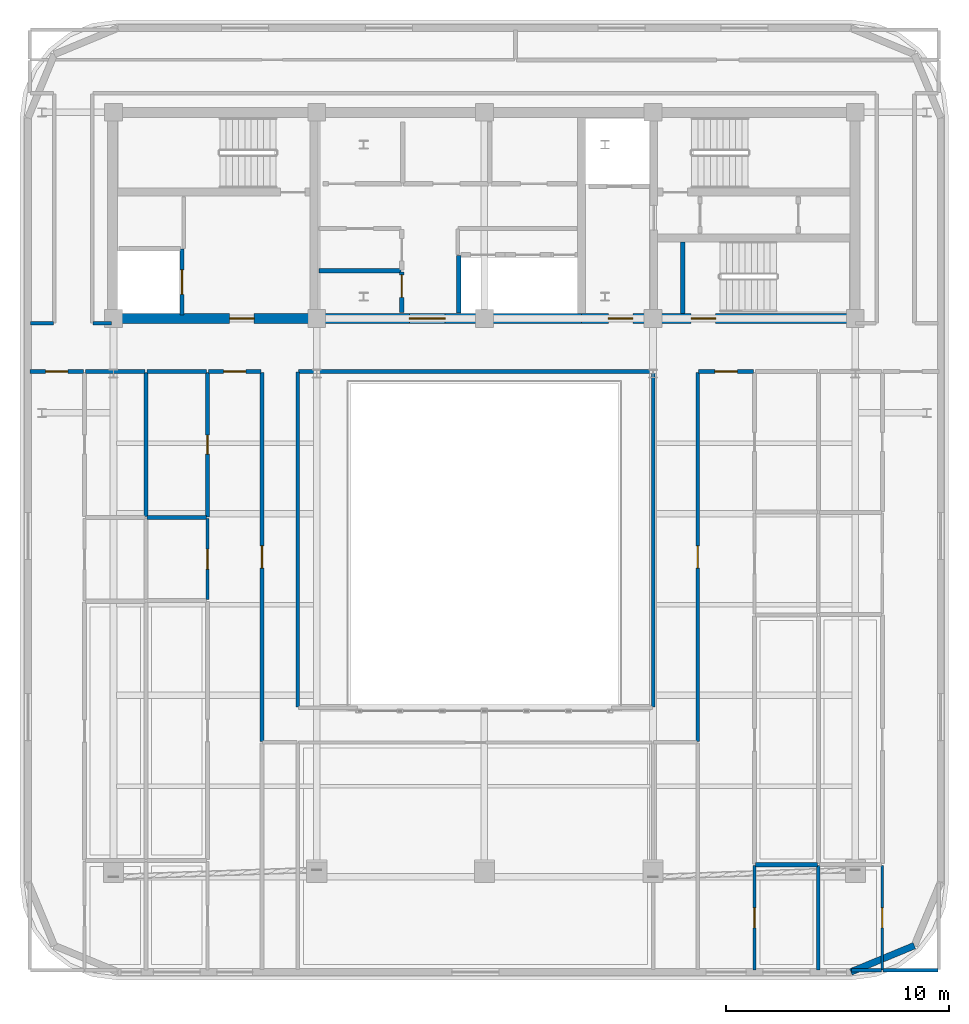
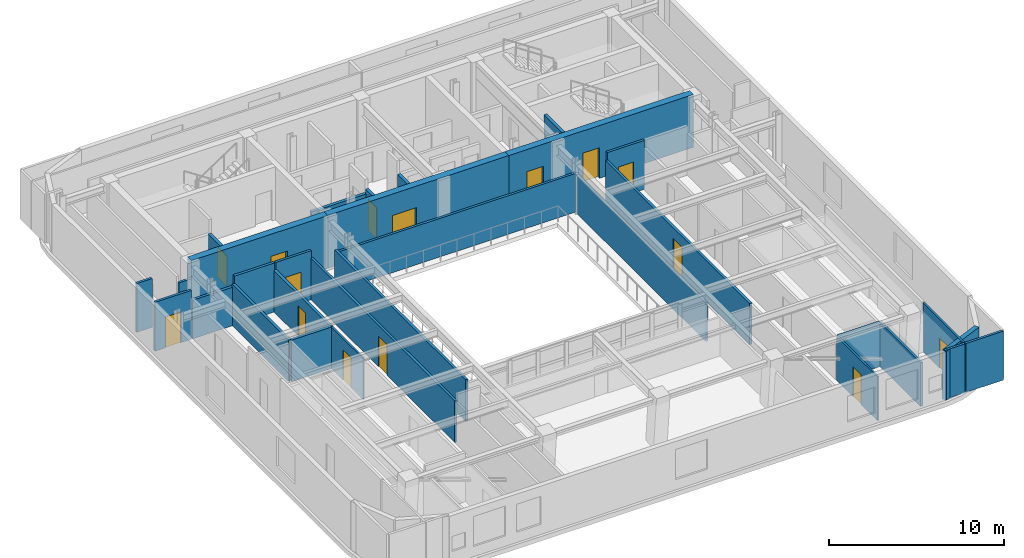
# One storey, part 7 of 13: 31 walls, 15 doors, 15 openings.
"""IFC4 building model written with IfcOpenShell, lengths in metres."""

from ifc_helpers import new_model, si_unit, direction, frame, frame_2d, origin, place, context, subcontext, project, spatial, rectangle, extrude, material, layer, layer_set, type_object, element, fill, save


model = new_model("IFC4")

# Units and contexts
model_context = context("Model", 3, precision=1e-05, world=origin(), true_north=direction((0.0, 1.0)))
body_context = subcontext(model_context, "Body", "Model", "MODEL_VIEW")
ifc_project = project(units=[si_unit("LENGTHUNIT", "METRE"), si_unit("AREAUNIT", "SQUARE_METRE"), si_unit("VOLUMEUNIT", "CUBIC_METRE"), si_unit("PLANEANGLEUNIT", "RADIAN"), si_unit("MASSUNIT", "GRAM", prefix="KILO")], contexts=[model_context])

# Site, building, storey
site_placement = place(None, origin())
site = spatial("IfcSite", under=ifc_project, at=site_placement, CompositionType="ELEMENT")
building_placement = place(site_placement, origin())
building = spatial("IfcBuilding", under=site, at=building_placement, Name="Zarnavel Station Tower", CompositionType="ELEMENT")
storey_placement = place(building_placement, frame((0.0, 0.0, 254.699951171875)))
storey = spatial("IfcBuildingStorey", under=building, at=storey_placement, Name="L69", CompositionType="ELEMENT", Elevation=254.699951171875)

# Wall, opening, door
ifc_material_1 = material(Name="Concrete C50/60", Category="concrete")
ifc_layer_1 = layer(ifc_material_1, 0.449951171875)
ifc_layer_set_1 = layer_set([ifc_layer_1], Name="CW_450")
wall_type_1 = type_object("IfcWallType", Name="CW_450", PredefinedType="SHEAR", material=ifc_layer_set_1)
wall_1_placement = place(storey_placement, frame((21.179931640625, 27.820068359375, 0.0), z_axis=(0.0, 0.0, 1.0), x_axis=(-1.0, 0.0, 0.0)))
wall_1 = element("IfcWall", 1, at=wall_1_placement, inside=storey, type_object=wall_type_1, Name="L69 Rear Core Shear Wall S-W", PredefinedType="SHEAR", context=body_context, shape_type="SweptSolid", body=[
    extrude(rectangle(XDim=9.030029296875, YDim=0.449951171875, at=frame_2d((4.51513671875, 0.0))), origin(), (0.0, 0.0, 1.0), 3.699951171875),
])
opening_1_placement = place(wall_1_placement, frame((2.679931640625, 0.0, 0.0)))
opening_1 = element("IfcOpeningElement", 2, at=opening_1_placement, cuts=wall_1, Name="Opening FD01", PredefinedType="OPENING", context=body_context, shape_type="SweptSolid", body=[
    extrude(rectangle(XDim=1.10009765625, YDim=2.14990234375, at=frame_2d((0.550048828125, 1.074951171875))), frame((0.0, 0.23486328125, 0.0), z_axis=(0.0, -1.0, 0.0), x_axis=(1.0, 0.0, 0.0)), (0.0, 0.0, 1.0), 0.469970703125),
])
ifc_material_2 = material(Name="Painted Galvanised Steel and Hardwood Leaf", Category="steel")
door_type_1 = type_object("IfcDoorType", Name="ID_STAIR_1100", OperationType="NOTDEFINED", PredefinedType="DOOR", material=ifc_material_2)
door_1_placement = place(opening_1_placement, origin())
door_1 = element("IfcDoor", 3, at=door_1_placement, inside=storey, type_object=door_type_1, Name="L69 West Firefighting Lobby Door", OperationType="SINGLE_SWING_RIGHT", OverallHeight=2.14990234375, OverallWidth=1.10009765625, PredefinedType="DOOR", context=body_context, shape_type="SweptSolid", body=[
    extrude(rectangle(XDim=1.10009765625, YDim=2.14990234375, at=frame_2d((0.550048828125, 1.074951171875))), frame((0.0, 0.02490234375, 0.0), z_axis=(0.0, -1.0, 0.0), x_axis=(1.0, 0.0, 0.0)), (0.0, 0.0, 1.0), 0.050048828125),
])
fill(opening_1, door_1)

wall_2_placement = place(storey_placement, frame((33.14990234375, 27.820068359375, 0.0), z_axis=(0.0, 0.0, 1.0), x_axis=(-1.0, 0.0, 0.0)))
wall_2 = element("IfcWall", 4, at=wall_2_placement, inside=storey, type_object=wall_type_1, Name="L69 Rear Core Shear Wall S-M", PredefinedType="SHEAR", context=body_context, shape_type="SweptSolid", body=[
    extrude(rectangle(XDim=11.969970703125, YDim=0.449951171875, at=frame_2d((5.98486328125, 0.0))), origin(), (0.0, 0.0, 1.0), 3.699951171875),
])
opening_2_placement = place(wall_2_placement, frame((6.10009765625, 0.0, 0.0)))
opening_2 = element("IfcOpeningElement", 5, at=opening_2_placement, cuts=wall_2, Name="Opening ID03", PredefinedType="OPENING", context=body_context, shape_type="SweptSolid", body=[
    extrude(rectangle(XDim=1.60009765625, YDim=2.199951171875, at=frame_2d((0.800048828125, 1.10009765625))), frame((0.0, 0.23486328125, 0.0), z_axis=(0.0, -1.0, 0.0), x_axis=(1.0, 0.0, 0.0)), (0.0, 0.0, 1.0), 0.469970703125),
])
ifc_material_3 = material(Name="Painted Galvanised Steel and Hardwood Leaf", Category="steel")
door_type_2 = type_object("IfcDoorType", Name="ID_PUBLIC_1600", OperationType="DOUBLE_DOOR_SINGLE_SWING", PredefinedType="DOOR", material=ifc_material_3)
door_2_placement = place(opening_2_placement, origin())
door_2 = element("IfcDoor", 6, at=door_2_placement, inside=storey, type_object=door_type_2, Name="L69 Passenger Lift Lobby Double Door", OperationType="SINGLE_SWING_LEFT", OverallHeight=2.199951171875, OverallWidth=1.60009765625, PredefinedType="DOOR", context=body_context, shape_type="SweptSolid", body=[
    extrude(rectangle(XDim=1.60009765625, YDim=2.199951171875, at=frame_2d((0.800048828125, 1.10009765625))), frame((0.0, 0.02490234375, 0.0), z_axis=(0.0, -1.0, 0.0), x_axis=(1.0, 0.0, 0.0)), (0.0, 0.0, 1.0), 0.050048828125),
])
fill(opening_2, door_2)

# Wall, openings, doors
wall_3_placement = place(storey_placement, frame((45.3798828125, 27.820068359375, 0.0), z_axis=(0.0, 0.0, 1.0), x_axis=(-1.0, 0.0, 0.0)))
wall_3 = element("IfcWall", 7, at=wall_3_placement, inside=storey, type_object=wall_type_1, Name="L69 Rear Core Shear Wall S-E", PredefinedType="SHEAR", context=body_context, shape_type="SweptSolid", body=[
    extrude(rectangle(XDim=12.22998046875, YDim=0.449951171875, at=frame_2d((6.114990234375, 0.0))), origin(), (0.0, 0.0, 1.0), 3.699951171875),
])
opening_3_placement = place(wall_3_placement, frame((9.929931640625, 0.0, 0.0)))
opening_3 = element("IfcOpeningElement", 8, at=opening_3_placement, cuts=wall_3, Name="Opening FD01", PredefinedType="OPENING", context=body_context, shape_type="SweptSolid", body=[
    extrude(rectangle(XDim=1.10009765625, YDim=2.14990234375, at=frame_2d((0.550048828125, 1.074951171875))), frame((0.0, 0.23486328125, 0.0), z_axis=(0.0, -1.0, 0.0), x_axis=(1.0, 0.0, 0.0)), (0.0, 0.0, 1.0), 0.469970703125),
])
opening_4_placement = place(wall_3_placement, frame((6.22998046875, 0.0, 0.0)))
opening_4 = element("IfcOpeningElement", 9, at=opening_4_placement, cuts=wall_3, Name="Opening FD01", PredefinedType="OPENING", context=body_context, shape_type="SweptSolid", body=[
    extrude(rectangle(XDim=1.10009765625, YDim=2.14990234375, at=frame_2d((0.550048828125, 1.074951171875))), frame((0.0, 0.23486328125, 0.0), z_axis=(0.0, -1.0, 0.0), x_axis=(1.0, 0.0, 0.0)), (0.0, 0.0, 1.0), 0.469970703125),
])
door_3_placement = place(opening_3_placement, origin())
door_3 = element("IfcDoor", 10, at=door_3_placement, inside=storey, type_object=door_type_1, Name="L69 East Firefighting Lobby Door", OperationType="SINGLE_SWING_LEFT", OverallHeight=2.14990234375, OverallWidth=1.10009765625, PredefinedType="DOOR", context=body_context, shape_type="SweptSolid", body=[
    extrude(rectangle(XDim=1.10009765625, YDim=2.14990234375, at=frame_2d((0.550048828125, 1.074951171875))), frame((0.0, 0.02490234375, 0.0), z_axis=(0.0, -1.0, 0.0), x_axis=(1.0, 0.0, 0.0)), (0.0, 0.0, 1.0), 0.050048828125),
])
fill(opening_3, door_3)
door_4_placement = place(opening_4_placement, origin())
door_4 = element("IfcDoor", 11, at=door_4_placement, inside=storey, type_object=door_type_1, Name="L69 Stair ST3 Corridor Fire Door", OperationType="SINGLE_SWING_RIGHT", OverallHeight=2.14990234375, OverallWidth=1.10009765625, PredefinedType="DOOR", context=body_context, shape_type="SweptSolid", body=[
    extrude(rectangle(XDim=1.10009765625, YDim=2.14990234375, at=frame_2d((0.550048828125, 1.074951171875))), frame((0.0, 0.02490234375, 0.0), z_axis=(0.0, -1.0, 0.0), x_axis=(1.0, 0.0, 0.0)), (0.0, 0.0, 1.0), 0.050048828125),
])
fill(opening_4, door_4)

# Wall
ifc_material_4 = material(Name="Precast concrete C45/55 (Dark Basalt Finish)", Category="masonry")
ifc_layer_2 = layer(ifc_material_4, 0.300048828125)
ifc_layer_set_2 = layer_set([ifc_layer_2], Name="EW_BASALT_300")
wall_type_2 = type_object("IfcWallType", Name="EW_BASALT_300", PredefinedType="SOLIDWALL", material=ifc_layer_set_2)
wall_4_placement = place(storey_placement, frame((48.04248046875, -0.24267578125, 0.0), z_axis=(0.0, 0.0, 1.0), x_axis=(-0.92389884758, -0.382636798336, 0.0)))
element("IfcWall", 12, at=wall_4_placement, inside=storey, type_object=wall_type_2, Name="L69 Exterior Basalt Masonry Frame Wall 01", PredefinedType="SOLIDWALL", context=body_context, shape_type="SweptSolid", body=[
    extrude(rectangle(XDim=3.07666015625, YDim=0.300048828125, at=frame_2d((1.538330078125, 0.0))), origin(), (0.0, 0.0, 1.0), 3.420166015625),
])

# Wall, opening, door
ifc_material_5 = material(Name="Gypsum Twin-Stud Acoustic Fire Partition", Category="concrete")
ifc_layer_3 = layer(ifc_material_5, 0.159912109375)
ifc_layer_set_3 = layer_set([ifc_layer_3], Name="PT_DEMISE_160")
wall_type_3 = type_object("IfcWallType", Name="PT_DEMISE_160", PredefinedType="PARTITIONING", material=ifc_layer_set_3)
wall_5_placement = place(storey_placement, frame((8.4599609375, 25.449951171875, 0.0), z_axis=(0.0, 0.0, 1.0), x_axis=(1.0, 0.0, 0.0)))
wall_5 = element("IfcWall", 13, at=wall_5_placement, inside=storey, type_object=wall_type_3, Name="L69 Partition COR-S-UW1LV", PredefinedType="PARTITIONING", context=body_context, shape_type="SweptSolid", body=[
    extrude(rectangle(XDim=2.404052734375, YDim=0.159912109375, at=frame_2d((1.2021484375, 0.0))), origin(), (0.0, 0.0, 1.0), 3.420166015625),
])
opening_5_placement = place(wall_5_placement, frame((0.701904296875, 0.0, 0.0)))
opening_5 = element("IfcOpeningElement", 14, at=opening_5_placement, cuts=wall_5, Name="Opening FD02", PredefinedType="OPENING", context=body_context, shape_type="SweptSolid", body=[
    extrude(rectangle(XDim=1.0, YDim=2.14990234375, at=frame_2d((0.5, 1.074951171875))), frame((0.0, 0.08984375, 0.0), z_axis=(0.0, -1.0, 0.0), x_axis=(1.0, 0.0, 0.0)), (0.0, 0.0, 1.0), 0.179931640625),
])
ifc_material_6 = material(Name="Painted Galvanised Steel and Hardwood Leaf", Category="steel")
door_type_3 = type_object("IfcDoorType", Name="ID_ENTRY_1000", OperationType="NOTDEFINED", PredefinedType="DOOR", material=ifc_material_6)
door_5_placement = place(opening_5_placement, origin())
door_5 = element("IfcDoor", 15, at=door_5_placement, inside=storey, type_object=door_type_3, Name="L69 Door COR-S-UW1LV", OperationType="SINGLE_SWING_RIGHT", OverallHeight=2.14990234375, OverallWidth=1.0, PredefinedType="DOOR", context=body_context, shape_type="SweptSolid", body=[
    extrude(rectangle(XDim=1.0, YDim=2.14990234375, at=frame_2d((0.5, 1.074951171875))), frame((0.0, 0.02490234375, 0.0), z_axis=(0.0, -1.0, 0.0), x_axis=(1.0, 0.0, 0.0)), (0.0, 0.0, 1.0), 0.050048828125),
])
fill(opening_5, door_5)

wall_6_placement = place(storey_placement, frame((16.450927734375, 25.449951171875, 0.0), z_axis=(0.0, 0.0, 1.0), x_axis=(1.0, 0.0, 0.0)))
wall_6 = element("IfcWall", 16, at=wall_6_placement, inside=storey, type_object=wall_type_3, Name="L69 Partition COR-S-UW2LV", PredefinedType="PARTITIONING", context=body_context, shape_type="SweptSolid", body=[
    extrude(rectangle(XDim=2.359130859375, YDim=0.159912109375, at=frame_2d((1.1796875, 0.0))), origin(), (0.0, 0.0, 1.0), 3.420166015625),
])
opening_6_placement = place(wall_6_placement, frame((0.679443359375, 0.0, 0.0)))
opening_6 = element("IfcOpeningElement", 17, at=opening_6_placement, cuts=wall_6, Name="Opening FD02", PredefinedType="OPENING", context=body_context, shape_type="SweptSolid", body=[
    extrude(rectangle(XDim=1.0, YDim=2.14990234375, at=frame_2d((0.5, 1.074951171875))), frame((0.0, 0.08984375, 0.0), z_axis=(0.0, -1.0, 0.0), x_axis=(1.0, 0.0, 0.0)), (0.0, 0.0, 1.0), 0.179931640625),
])
door_6_placement = place(opening_6_placement, origin())
door_6 = element("IfcDoor", 18, at=door_6_placement, inside=storey, type_object=door_type_3, Name="L69 Door COR-S-UW2LV", OperationType="SINGLE_SWING_LEFT", OverallHeight=2.14990234375, OverallWidth=1.0, PredefinedType="DOOR", context=body_context, shape_type="SweptSolid", body=[
    extrude(rectangle(XDim=1.0, YDim=2.14990234375, at=frame_2d((0.5, 1.074951171875))), frame((0.0, 0.02490234375, 0.0), z_axis=(0.0, -1.0, 0.0), x_axis=(1.0, 0.0, 0.0)), (0.0, 0.0, 1.0), 0.050048828125),
])
fill(opening_6, door_6)

wall_7_placement = place(storey_placement, frame((38.389892578125, 25.449951171875, 0.0), z_axis=(0.0, 0.0, 1.0), x_axis=(1.0, 0.0, 0.0)))
wall_7 = element("IfcWall", 19, at=wall_7_placement, inside=storey, type_object=wall_type_3, Name="L69 Partition COR-S-UE1LV", PredefinedType="PARTITIONING", context=body_context, shape_type="SweptSolid", body=[
    extrude(rectangle(XDim=2.4580078125, YDim=0.159912109375, at=frame_2d((1.22900390625, 0.0))), origin(), (0.0, 0.0, 1.0), 3.420166015625),
])
opening_7_placement = place(wall_7_placement, frame((0.72900390625, 0.0, 0.0)))
opening_7 = element("IfcOpeningElement", 20, at=opening_7_placement, cuts=wall_7, Name="Opening FD02", PredefinedType="OPENING", context=body_context, shape_type="SweptSolid", body=[
    extrude(rectangle(XDim=1.0, YDim=2.14990234375, at=frame_2d((0.5, 1.074951171875))), frame((0.0, 0.08984375, 0.0), z_axis=(0.0, -1.0, 0.0), x_axis=(1.0, 0.0, 0.0)), (0.0, 0.0, 1.0), 0.179931640625),
])
door_7_placement = place(opening_7_placement, origin())
door_7 = element("IfcDoor", 21, at=door_7_placement, inside=storey, type_object=door_type_3, Name="L69 Door COR-S-UE1LV", OperationType="SINGLE_SWING_RIGHT", OverallHeight=2.14990234375, OverallWidth=1.0, PredefinedType="DOOR", context=body_context, shape_type="SweptSolid", body=[
    extrude(rectangle(XDim=1.0, YDim=2.14990234375, at=frame_2d((0.5, 1.074951171875))), frame((0.0, 0.02490234375, 0.0), z_axis=(0.0, -1.0, 0.0), x_axis=(1.0, 0.0, 0.0)), (0.0, 0.0, 1.0), 0.050048828125),
])
fill(opening_7, door_7)

wall_8_placement = place(storey_placement, frame((18.85009765625, 8.889892578125, 0.0), z_axis=(0.0, 0.0, 1.0), x_axis=(0.0, 1.0, 0.0)))
wall_8 = element("IfcWall", 22, at=wall_8_placement, inside=storey, type_object=wall_type_3, Name="L69 Partition COR-AW-UW2LV", PredefinedType="PARTITIONING", context=body_context, shape_type="SweptSolid", body=[
    extrude(rectangle(XDim=16.52001953125, YDim=0.159912109375, at=frame_2d((8.260009765625, 0.0))), origin(), (0.0, 0.0, 1.0), 2.900146484375),
])
opening_8_placement = place(wall_8_placement, frame((7.760009765625, 0.0, 0.0)))
opening_8 = element("IfcOpeningElement", 23, at=opening_8_placement, cuts=wall_8, Name="Opening FD02", PredefinedType="OPENING", context=body_context, shape_type="SweptSolid", body=[
    extrude(rectangle(XDim=1.0, YDim=2.14990234375, at=frame_2d((0.5, 1.074951171875))), frame((0.0, 0.08984375, 0.0), z_axis=(0.0, -1.0, 0.0), x_axis=(1.0, 0.0, 0.0)), (0.0, 0.0, 1.0), 0.179931640625),
])
door_8_placement = place(opening_8_placement, origin())
door_8 = element("IfcDoor", 24, at=door_8_placement, inside=storey, type_object=door_type_3, Name="L69 Door COR-AW-UW2LV", OperationType="SINGLE_SWING_RIGHT", OverallHeight=2.14990234375, OverallWidth=1.0, PredefinedType="DOOR", context=body_context, shape_type="SweptSolid", body=[
    extrude(rectangle(XDim=1.0, YDim=2.14990234375, at=frame_2d((0.5, 1.074951171875))), frame((0.0, 0.02490234375, 0.0), z_axis=(0.0, -1.0, 0.0), x_axis=(1.0, 0.0, 0.0)), (0.0, 0.0, 1.0), 0.050048828125),
])
fill(opening_8, door_8)

wall_9_placement = place(storey_placement, frame((38.35009765625, 8.889892578125, 0.0), z_axis=(0.0, 0.0, 1.0), x_axis=(0.0, 1.0, 0.0)))
wall_9 = element("IfcWall", 25, at=wall_9_placement, inside=storey, type_object=wall_type_3, Name="L69 Partition COR-AE-UE1LV", PredefinedType="PARTITIONING", context=body_context, shape_type="SweptSolid", body=[
    extrude(rectangle(XDim=16.52001953125, YDim=0.159912109375, at=frame_2d((8.260009765625, 0.0))), origin(), (0.0, 0.0, 1.0), 2.900146484375),
])
opening_9_placement = place(wall_9_placement, frame((7.760009765625, 0.0, 0.0)))
opening_9 = element("IfcOpeningElement", 26, at=opening_9_placement, cuts=wall_9, Name="Opening FD02", PredefinedType="OPENING", context=body_context, shape_type="SweptSolid", body=[
    extrude(rectangle(XDim=1.0, YDim=2.14990234375, at=frame_2d((0.5, 1.074951171875))), frame((0.0, 0.08984375, 0.0), z_axis=(0.0, -1.0, 0.0), x_axis=(1.0, 0.0, 0.0)), (0.0, 0.0, 1.0), 0.179931640625),
])
door_9_placement = place(opening_9_placement, origin())
door_9 = element("IfcDoor", 27, at=door_9_placement, inside=storey, type_object=door_type_3, Name="L69 Door COR-AE-UE1LV", OperationType="SINGLE_SWING_LEFT", OverallHeight=2.14990234375, OverallWidth=1.0, PredefinedType="DOOR", context=body_context, shape_type="SweptSolid", body=[
    extrude(rectangle(XDim=1.0, YDim=2.14990234375, at=frame_2d((0.5, 1.074951171875))), frame((0.0, 0.02490234375, 0.0), z_axis=(0.0, -1.0, 0.0), x_axis=(1.0, 0.0, 0.0)), (0.0, 0.0, 1.0), 0.050048828125),
])
fill(opening_9, door_9)

# Walls
wall_10_placement = place(storey_placement, frame((43.75, -1.340087890625, 0.0), z_axis=(0.0, 0.0, 1.0), x_axis=(0.0, 1.0, 0.0)))
element("IfcWall", 28, at=wall_10_placement, inside=storey, type_object=wall_type_3, Name="L69 Partition UE1B1-UE2B1", PredefinedType="PARTITIONING", context=body_context, shape_type="SweptSolid", body=[
    extrude(rectangle(XDim=4.677001953125, YDim=0.159912109375, at=frame_2d((2.33837890625, 0.0))), origin(), (0.0, 0.0, 1.0), 3.080078125),
])
wall_11_placement = place(storey_placement, frame((20.47998046875, 25.449951171875, 0.0), z_axis=(0.0, 0.0, 1.0), x_axis=(1.0, 0.0, 0.0)))
element("IfcWall", 29, at=wall_11_placement, inside=storey, type_object=wall_type_3, Name="L69 Enclosure Wall COR-S", PredefinedType="PARTITIONING", context=body_context, shape_type="SweptSolid", body=[
    extrude(rectangle(XDim=15.840087890625, YDim=0.159912109375, at=frame_2d((7.919921875, 0.0))), origin(), (0.0, 0.0, 1.0), 2.699951171875),
])
wall_12_placement = place(storey_placement, frame((8.489990234375, 27.60009765625, 0.0), z_axis=(0.0, 0.0, 1.0), x_axis=(1.0, 0.0, 0.0)))
element("IfcWall", 30, at=wall_12_placement, inside=storey, type_object=wall_type_3, Name="L69 Enclosure Wall COR-S", PredefinedType="PARTITIONING", context=body_context, shape_type="SweptSolid", body=[
    extrude(rectangle(XDim=1.030029296875, YDim=0.159912109375, at=frame_2d((0.51513671875, 0.0))), origin(), (0.0, 0.0, 1.0), 3.420166015625),
])
wall_13_placement = place(storey_placement, frame((11.280029296875, 27.60009765625, 0.0), z_axis=(0.0, 0.0, 1.0), x_axis=(1.0, 0.0, 0.0)))
element("IfcWall", 31, at=wall_13_placement, inside=storey, type_object=wall_type_3, Name="L69 Enclosure Wall COR-S", PredefinedType="PARTITIONING", context=body_context, shape_type="SweptSolid", body=[
    extrude(rectangle(XDim=0.840087890625, YDim=0.159912109375, at=frame_2d((0.419921875, 0.0))), origin(), (0.0, 0.0, 1.0), 2.489990234375),
])
wall_14_placement = place(storey_placement, frame((20.449951171875, 10.429931640625, 0.0), z_axis=(0.0, 0.0, 1.0), x_axis=(0.0, 1.0, 0.0)))
element("IfcWall", 32, at=wall_14_placement, inside=storey, type_object=wall_type_3, Name="L69 Enclosure Wall COR-AW", PredefinedType="PARTITIONING", context=body_context, shape_type="SweptSolid", body=[
    extrude(rectangle(XDim=14.989990234375, YDim=0.159912109375, at=frame_2d((7.4951171875, 0.0))), origin(), (0.0, 0.0, 1.0), 2.900146484375),
])
wall_15_placement = place(storey_placement, frame((36.35009765625, 10.429931640625, 0.0), z_axis=(0.0, 0.0, 1.0), x_axis=(0.0, 1.0, 0.0)))
element("IfcWall", 33, at=wall_15_placement, inside=storey, type_object=wall_type_3, Name="L69 Enclosure Wall COR-AE", PredefinedType="PARTITIONING", context=body_context, shape_type="SweptSolid", body=[
    extrude(rectangle(XDim=14.989990234375, YDim=0.159912109375, at=frame_2d((7.4951171875, 0.0))), origin(), (0.0, 0.0, 1.0), 2.699951171875),
])
wall_16_placement = place(storey_placement, frame((46.636962890625, -1.340087890625, 0.0), z_axis=(0.0, 0.0, 1.0), x_axis=(1.0, 0.0, 0.0)))
element("IfcWall", 34, at=wall_16_placement, inside=storey, type_object=wall_type_3, Name="L69 Enclosure Wall UE2LV", PredefinedType="PARTITIONING", context=body_context, shape_type="SweptSolid", body=[
    extrude(rectangle(XDim=2.47314453125, YDim=0.159912109375, at=frame_2d((1.236572265625, 0.0))), origin(), (0.0, 0.0, 1.0), 3.420166015625),
])
wall_17_placement = place(storey_placement, frame((45.22998046875, -1.340087890625, 0.0), z_axis=(0.0, 0.0, 1.0), x_axis=(1.0, 0.0, 0.0)))
element("IfcWall", 35, at=wall_17_placement, inside=storey, type_object=wall_type_3, Name="L69 Enclosure Wall UE2B1", PredefinedType="PARTITIONING", context=body_context, shape_type="SweptSolid", body=[
    extrude(rectangle(XDim=1.346923828125, YDim=0.159912109375, at=frame_2d((0.67333984375, 0.0))), origin(), (0.0, 0.0, 1.0), 3.420166015625),
])

# Wall, opening, door
ifc_material_7 = material(Name="Gypsum Metal-Stud Interior Partition", Category="concrete")
ifc_layer_4 = layer(ifc_material_7, 0.1201171875)
ifc_layer_set_4 = layer_set([ifc_layer_4], Name="PT_ROOM_120")
wall_type_4 = type_object("IfcWallType", Name="PT_ROOM_120", PredefinedType="PARTITIONING", material=ifc_layer_set_4)
wall_18_placement = place(storey_placement, frame((16.410888671875, 15.239013671875, 0.0), z_axis=(0.0, 0.0, 1.0), x_axis=(0.0, 1.0, 0.0)))
wall_18 = element("IfcWall", 36, at=wall_18_placement, inside=storey, type_object=wall_type_4, Name="L69 Partition UW2LV-UW2UT", PredefinedType="PARTITIONING", context=body_context, shape_type="SweptSolid", body=[
    extrude(rectangle(XDim=3.6279296875, YDim=0.1201171875, at=frame_2d((1.81396484375, 0.0))), origin(), (0.0, 0.0, 1.0), 2.900146484375),
])
opening_10_placement = place(wall_18_placement, frame((1.364013671875, 0.0, 0.0)))
opening_10 = element("IfcOpeningElement", 37, at=opening_10_placement, cuts=wall_18, Name="Opening ID01", PredefinedType="OPENING", context=body_context, shape_type="SweptSolid", body=[
    extrude(rectangle(XDim=0.89990234375, YDim=2.10009765625, at=frame_2d((0.449951171875, 1.050048828125))), frame((0.0, 0.070068359375, 0.0), z_axis=(0.0, -1.0, 0.0), x_axis=(1.0, 0.0, 0.0)), (0.0, 0.0, 1.0), 0.14013671875),
])
ifc_material_8 = material(Name="Painted Galvanised Steel and Hardwood Leaf", Category="steel")
door_type_4 = type_object("IfcDoorType", Name="ID_ROOM_900", OperationType="NOTDEFINED", PredefinedType="DOOR", material=ifc_material_8)
door_10_placement = place(opening_10_placement, origin())
door_10 = element("IfcDoor", 38, at=door_10_placement, inside=storey, type_object=door_type_4, Name="L69 Door UW2LV-UW2UT", OperationType="SINGLE_SWING_LEFT", OverallHeight=2.10009765625, OverallWidth=0.89990234375, PredefinedType="DOOR", context=body_context, shape_type="SweptSolid", body=[
    extrude(rectangle(XDim=0.89990234375, YDim=2.10009765625, at=frame_2d((0.449951171875, 1.050048828125))), frame((0.0, 0.02490234375, 0.0), z_axis=(0.0, -1.0, 0.0), x_axis=(1.0, 0.0, 0.0)), (0.0, 0.0, 1.0), 0.050048828125),
])
fill(opening_10, door_10)

wall_19_placement = place(storey_placement, frame((40.887939453125, -1.340087890625, 0.0), z_axis=(0.0, 0.0, 1.0), x_axis=(0.0, 1.0, 0.0)))
wall_19 = element("IfcWall", 39, at=wall_19_placement, inside=storey, type_object=wall_type_4, Name="L69 Partition UE1LV-UE1B1", PredefinedType="PARTITIONING", context=body_context, shape_type="SweptSolid", body=[
    extrude(rectangle(XDim=4.677001953125, YDim=0.1201171875, at=frame_2d((2.33837890625, 0.0))), origin(), (0.0, 0.0, 1.0), 3.080078125),
])
opening_11_placement = place(wall_19_placement, frame((1.888427734375, 0.0, 0.0)))
opening_11 = element("IfcOpeningElement", 40, at=opening_11_placement, cuts=wall_19, Name="Opening ID01", PredefinedType="OPENING", context=body_context, shape_type="SweptSolid", body=[
    extrude(rectangle(XDim=0.89990234375, YDim=2.10009765625, at=frame_2d((0.449951171875, 1.050048828125))), frame((0.0, 0.070068359375, 0.0), z_axis=(0.0, -1.0, 0.0), x_axis=(1.0, 0.0, 0.0)), (0.0, 0.0, 1.0), 0.14013671875),
])
door_11_placement = place(opening_11_placement, origin())
door_11 = element("IfcDoor", 41, at=door_11_placement, inside=storey, type_object=door_type_4, Name="L69 Door UE1LV-UE1B1", OperationType="SINGLE_SWING_LEFT", OverallHeight=2.10009765625, OverallWidth=0.89990234375, PredefinedType="DOOR", context=body_context, shape_type="SweptSolid", body=[
    extrude(rectangle(XDim=0.89990234375, YDim=2.10009765625, at=frame_2d((0.449951171875, 1.050048828125))), frame((0.0, 0.02490234375, 0.0), z_axis=(0.0, -1.0, 0.0), x_axis=(1.0, 0.0, 0.0)), (0.0, 0.0, 1.0), 0.050048828125),
])
fill(opening_11, door_11)

wall_20_placement = place(storey_placement, frame((46.60693359375, -1.340087890625, 0.0), z_axis=(0.0, 0.0, 1.0), x_axis=(0.0, 1.0, 0.0)))
wall_20 = element("IfcWall", 42, at=wall_20_placement, inside=storey, type_object=wall_type_4, Name="L69 Partition UE2LV-UE2B1", PredefinedType="PARTITIONING", context=body_context, shape_type="SweptSolid", body=[
    extrude(rectangle(XDim=4.68505859375, YDim=0.1201171875, at=frame_2d((2.342529296875, 0.0))), origin(), (0.0, 0.0, 1.0), 3.420166015625),
])
opening_12_placement = place(wall_20_placement, frame((1.892578125, 0.0, 0.0)))
opening_12 = element("IfcOpeningElement", 43, at=opening_12_placement, cuts=wall_20, Name="Opening ID01", PredefinedType="OPENING", context=body_context, shape_type="SweptSolid", body=[
    extrude(rectangle(XDim=0.89990234375, YDim=2.10009765625, at=frame_2d((0.449951171875, 1.050048828125))), frame((0.0, 0.070068359375, 0.0), z_axis=(0.0, -1.0, 0.0), x_axis=(1.0, 0.0, 0.0)), (0.0, 0.0, 1.0), 0.14013671875),
])
door_12_placement = place(opening_12_placement, origin())
door_12 = element("IfcDoor", 44, at=door_12_placement, inside=storey, type_object=door_type_4, Name="L69 Door UE2LV-UE2B1", OperationType="SINGLE_SWING_LEFT", OverallHeight=2.10009765625, OverallWidth=0.89990234375, PredefinedType="DOOR", context=body_context, shape_type="SweptSolid", body=[
    extrude(rectangle(XDim=0.89990234375, YDim=2.10009765625, at=frame_2d((0.449951171875, 1.050048828125))), frame((0.0, 0.02490234375, 0.0), z_axis=(0.0, -1.0, 0.0), x_axis=(1.0, 0.0, 0.0)), (0.0, 0.0, 1.0), 0.050048828125),
])
fill(opening_12, door_12)

ifc_material_9 = material(Name="Precast concrete C45/55 (Fire Shaft Blockwork)", Category="masonry")
ifc_layer_5 = layer(ifc_material_9, 0.199951171875)
ifc_layer_set_5 = layer_set([ifc_layer_5], Name="PT_SHAFT_200")
wall_type_5 = type_object("IfcWallType", Name="PT_SHAFT_200", PredefinedType="PARTITIONING", material=ifc_layer_set_5)
wall_21_placement = place(storey_placement, frame((15.27001953125, 27.969970703125, 0.0), z_axis=(0.0, 0.0, 1.0), x_axis=(0.0, 1.0, 0.0)))
wall_21 = element("IfcWall", 45, at=wall_21_placement, inside=storey, type_object=wall_type_5, Name="L69 Lift FFL-01 Shaft Front Wall", PredefinedType="PARTITIONING", context=body_context, shape_type="SweptSolid", body=[
    extrude(rectangle(XDim=2.9599609375, YDim=0.199951171875, at=frame_2d((1.47998046875, 0.0))), origin(), (0.0, 0.0, 1.0), 2.489990234375),
])
opening_13_placement = place(wall_21_placement, frame((0.929931640625, 0.0, 0.0)))
opening_13 = element("IfcOpeningElement", 46, at=opening_13_placement, cuts=wall_21, Name="Opening LD01", PredefinedType="OPENING", context=body_context, shape_type="SweptSolid", body=[
    extrude(rectangle(XDim=1.10009765625, YDim=2.14990234375, at=frame_2d((0.550048828125, 1.074951171875))), frame((0.0, 0.10986328125, 0.0), z_axis=(0.0, -1.0, 0.0), x_axis=(1.0, 0.0, 0.0)), (0.0, 0.0, 1.0), 0.219970703125),
])
ifc_material_10 = material(Name="Painted Galvanised Steel and Hardwood Leaf", Category="steel")
door_type_5 = type_object("IfcDoorType", Name="LD_FF_1100", OperationType="DOUBLE_DOOR_SLIDING", PredefinedType="DOOR", material=ifc_material_10)
door_13_placement = place(opening_13_placement, origin())
door_13 = element("IfcDoor", 47, at=door_13_placement, inside=storey, type_object=door_type_5, Name="L69 Lift FFL-01 Sliding Landing Door", OperationType="DOUBLE_DOOR_SLIDING", OverallHeight=2.14990234375, OverallWidth=1.10009765625, PredefinedType="DOOR", context=body_context, shape_type="SweptSolid", body=[
    extrude(rectangle(XDim=1.10009765625, YDim=2.14990234375, at=frame_2d((0.550048828125, 1.074951171875))), frame((0.0, 0.02490234375, 0.0), z_axis=(0.0, -1.0, 0.0), x_axis=(1.0, 0.0, 0.0)), (0.0, 0.0, 1.0), 0.050048828125),
])
fill(opening_13, door_13)

# Walls
wall_22_placement = place(storey_placement, frame((27.64990234375, 28.070068359375, 0.0), z_axis=(0.0, 0.0, 1.0), x_axis=(0.0, 1.0, 0.0)))
element("IfcWall", 48, at=wall_22_placement, inside=storey, type_object=wall_type_5, Name="L69 High-Rise Lift Bank West Shaft Wall", PredefinedType="PARTITIONING", context=body_context, shape_type="SweptSolid", body=[
    extrude(rectangle(XDim=2.579833984375, YDim=0.199951171875, at=frame_2d((1.2900390625, 0.0))), origin(), (0.0, 0.0, 1.0), 2.489990234375),
])
wall_23_placement = place(storey_placement, frame((37.679931640625, 28.044921875, 0.0), z_axis=(0.0, 0.0, 1.0), x_axis=(0.0, 1.0, 0.0)))
element("IfcWall", 49, at=wall_23_placement, inside=storey, type_object=wall_type_5, Name="L69 Stair ST3 West Shaft Wall", PredefinedType="PARTITIONING", context=body_context, shape_type="SweptSolid", body=[
    extrude(rectangle(XDim=3.205078125, YDim=0.199951171875, at=frame_2d((1.6025390625, 0.0))), origin(), (0.0, 0.0, 1.0), 2.800048828125),
])

# Wall, opening, door
wall_24_placement = place(storey_placement, frame((25.10009765625, 28.090087890625, 0.0), z_axis=(0.0, 0.0, 1.0), x_axis=(0.0, 1.0, 0.0)))
wall_24 = element("IfcWall", 50, at=wall_24_placement, inside=storey, type_object=wall_type_5, Name="L69 Partition LLOBS-CS1", PredefinedType="PARTITIONING", context=body_context, shape_type="SweptSolid", body=[
    extrude(rectangle(XDim=1.81982421875, YDim=0.199951171875, at=frame_2d((0.909912109375, 0.0))), origin(), (0.0, 0.0, 1.0), 2.800048828125),
])
opening_14_placement = place(wall_24_placement, frame((0.679931640625, 0.0, 0.0)))
opening_14 = element("IfcOpeningElement", 51, at=opening_14_placement, cuts=wall_24, Name="Opening FD02", PredefinedType="OPENING", context=body_context, shape_type="SweptSolid", body=[
    extrude(rectangle(XDim=1.0, YDim=2.14990234375, at=frame_2d((0.5, 1.074951171875))), frame((0.0, 0.10986328125, 0.0), z_axis=(0.0, -1.0, 0.0), x_axis=(1.0, 0.0, 0.0)), (0.0, 0.0, 1.0), 0.219970703125),
])
door_14_placement = place(opening_14_placement, origin())
door_14 = element("IfcDoor", 52, at=door_14_placement, inside=storey, type_object=door_type_3, Name="L69 Door LLOBS-CS1", OperationType="SINGLE_SWING_RIGHT", OverallHeight=2.14990234375, OverallWidth=1.0, PredefinedType="DOOR", context=body_context, shape_type="SweptSolid", body=[
    extrude(rectangle(XDim=1.0, YDim=2.14990234375, at=frame_2d((0.5, 1.074951171875))), frame((0.0, 0.02490234375, 0.0), z_axis=(0.0, -1.0, 0.0), x_axis=(1.0, 0.0, 0.0)), (0.0, 0.0, 1.0), 0.050048828125),
])
fill(opening_14, door_14)

# Walls
wall_25_placement = place(storey_placement, frame((21.39990234375, 29.949951171875, 0.0), z_axis=(0.0, 0.0, 1.0), x_axis=(1.0, 0.0, 0.0)))
element("IfcWall", 53, at=wall_25_placement, inside=storey, type_object=wall_type_5, Name="L69 Partition CS1-CS2", PredefinedType="PARTITIONING", context=body_context, shape_type="SweptSolid", body=[
    extrude(rectangle(XDim=3.66015625, YDim=0.199951171875, at=frame_2d((1.830078125, 0.0))), origin(), (0.0, 0.0, 1.0), 2.489990234375),
])
ifc_material_11 = material(Name="Moisture-Resistant Plumbing Chase Wall", Category="concrete")
ifc_layer_6 = layer(ifc_material_11, 0.179931640625)
ifc_layer_set_6 = layer_set([ifc_layer_6], Name="PW_PLUMB_180")
wall_type_6 = type_object("IfcWallType", Name="PW_PLUMB_180", PredefinedType="PLUMBINGWALL", material=ifc_layer_set_6)
wall_26_placement = place(storey_placement, frame((10.944091796875, 25.449951171875, 0.0), z_axis=(0.0, 0.0, 1.0), x_axis=(1.0, 0.0, 0.0)))
element("IfcWall", 54, at=wall_26_placement, inside=storey, type_object=wall_type_6, Name="L69 Partition COR-S-UW1BA", PredefinedType="PLUMBINGWALL", context=body_context, shape_type="SweptSolid", body=[
    extrude(rectangle(XDim=2.676025390625, YDim=0.179931640625, at=frame_2d((1.337890625, 0.0))), origin(), (0.0, 0.0, 1.0), 2.699951171875),
])
wall_27_placement = place(storey_placement, frame((13.699951171875, 25.449951171875, 0.0), z_axis=(0.0, 0.0, 1.0), x_axis=(1.0, 0.0, 0.0)))
element("IfcWall", 55, at=wall_27_placement, inside=storey, type_object=wall_type_6, Name="L69 Partition COR-S-UW2BA", PredefinedType="PLUMBINGWALL", context=body_context, shape_type="SweptSolid", body=[
    extrude(rectangle(XDim=2.671142578125, YDim=0.179931640625, at=frame_2d((1.33544921875, 0.0))), origin(), (0.0, 0.0, 1.0), 3.420166015625),
])
wall_28_placement = place(storey_placement, frame((13.659912109375, 18.958984375, 0.0), z_axis=(0.0, 0.0, 1.0), x_axis=(0.0, 1.0, 0.0)))
element("IfcWall", 56, at=wall_28_placement, inside=storey, type_object=wall_type_6, Name="L69 Partition UW1BA-UW2BA", PredefinedType="PLUMBINGWALL", context=body_context, shape_type="SweptSolid", body=[
    extrude(rectangle(XDim=6.450927734375, YDim=0.179931640625, at=frame_2d((3.2255859375, 0.0))), origin(), (0.0, 0.0, 1.0), 2.900146484375),
])

# Wall, opening, door
wall_29_placement = place(storey_placement, frame((16.410888671875, 18.947021484375, 0.0), z_axis=(0.0, 0.0, 1.0), x_axis=(0.0, 1.0, 0.0)))
wall_29 = element("IfcWall", 57, at=wall_29_placement, inside=storey, type_object=wall_type_6, Name="L69 Partition UW2LV-UW2BA", PredefinedType="PLUMBINGWALL", context=body_context, shape_type="SweptSolid", body=[
    extrude(rectangle(XDim=6.462890625, YDim=0.179931640625, at=frame_2d((3.2314453125, 0.0))), origin(), (0.0, 0.0, 1.0), 2.900146484375),
])
opening_15_placement = place(wall_29_placement, frame((2.806396484375, 0.0, 0.0)))
opening_15 = element("IfcOpeningElement", 58, at=opening_15_placement, cuts=wall_29, Name="Opening ID02", PredefinedType="OPENING", context=body_context, shape_type="SweptSolid", body=[
    extrude(rectangle(XDim=0.85009765625, YDim=2.10009765625, at=frame_2d((0.425048828125, 1.050048828125))), frame((0.0, 0.099853515625, 0.0), z_axis=(0.0, -1.0, 0.0), x_axis=(1.0, 0.0, 0.0)), (0.0, 0.0, 1.0), 0.199951171875),
])
ifc_material_12 = material(Name="Painted Galvanised Steel and Hardwood Leaf", Category="steel")
door_type_6 = type_object("IfcDoorType", Name="ID_BATH_850", OperationType="NOTDEFINED", PredefinedType="DOOR", material=ifc_material_12)
door_15_placement = place(opening_15_placement, origin())
door_15 = element("IfcDoor", 59, at=door_15_placement, inside=storey, type_object=door_type_6, Name="L69 Door UW2LV-UW2BA", OperationType="SINGLE_SWING_RIGHT", OverallHeight=2.10009765625, OverallWidth=0.85009765625, PredefinedType="DOOR", context=body_context, shape_type="SweptSolid", body=[
    extrude(rectangle(XDim=0.85009765625, YDim=2.10009765625, at=frame_2d((0.425048828125, 1.050048828125))), frame((0.0, 0.02490234375, 0.0), z_axis=(0.0, -1.0, 0.0), x_axis=(1.0, 0.0, 0.0)), (0.0, 0.0, 1.0), 0.050048828125),
])
fill(opening_15, door_15)

# Walls
wall_30_placement = place(storey_placement, frame((13.699951171875, 18.906982421875, 0.0), z_axis=(0.0, 0.0, 1.0), x_axis=(1.0, 0.0, 0.0)))
element("IfcWall", 60, at=wall_30_placement, inside=storey, type_object=wall_type_6, Name="L69 Partition UW2UT-UW2BA", PredefinedType="PLUMBINGWALL", context=body_context, shape_type="SweptSolid", body=[
    extrude(rectangle(XDim=2.671142578125, YDim=0.179931640625, at=frame_2d((1.33544921875, 0.0))), origin(), (0.0, 0.0, 1.0), 2.91015625),
])
wall_31_placement = place(storey_placement, frame((40.927978515625, 3.376953125, 0.0), z_axis=(0.0, 0.0, 1.0), x_axis=(1.0, 0.0, 0.0)))
element("IfcWall", 61, at=wall_31_placement, inside=storey, type_object=wall_type_6, Name="L69 Partition UE1B1-UE1KT", PredefinedType="PLUMBINGWALL", context=body_context, shape_type="SweptSolid", body=[
    extrude(rectangle(XDim=2.781982421875, YDim=0.179931640625, at=frame_2d((1.39111328125, 0.0))), origin(), (0.0, 0.0, 1.0), 3.080078125),
])

save(model, "model.ifc")
